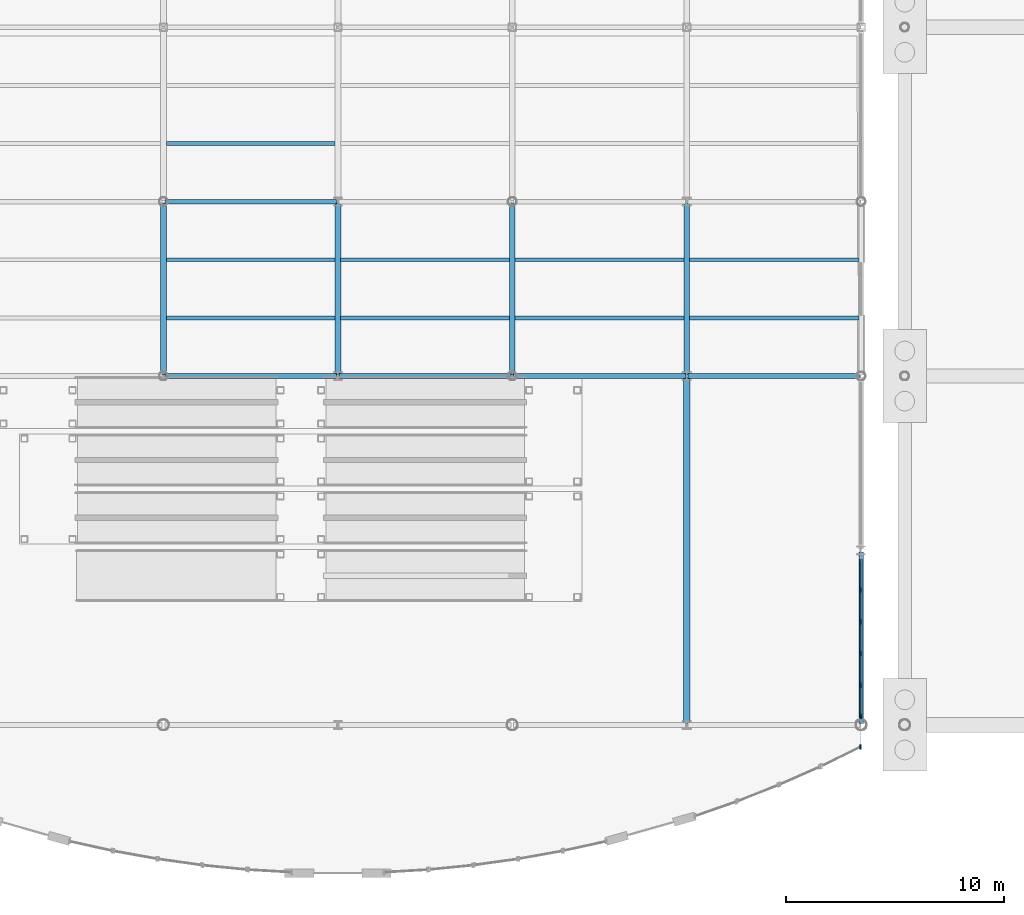
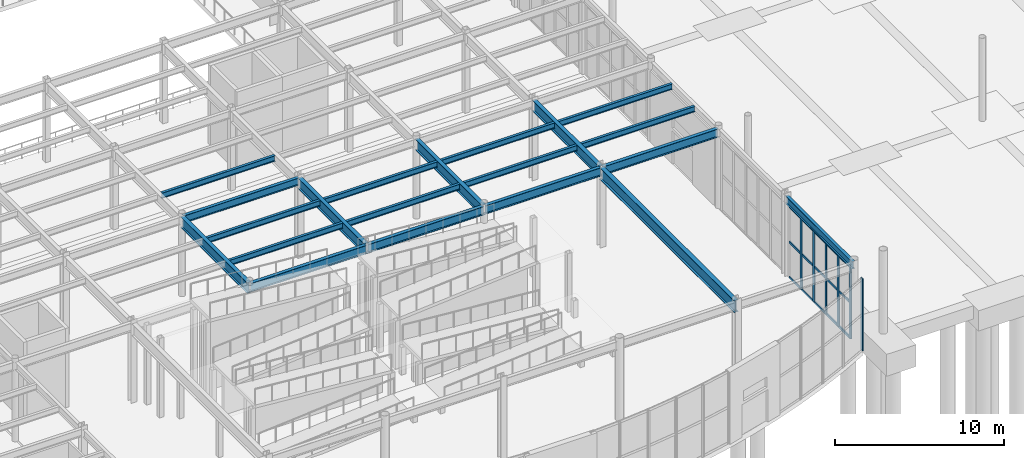
# One storey, part 35 of 82: 20 beams, 9 members, 2 elements without a shape of their own.
"""IFC4 building model written with IfcOpenShell, lengths in metres."""

import ifcopenshell
import ifcopenshell.guid

model = None  # the IFC model being written
_history = None  # IfcOwnerHistory: only IFC2X3 demands one
_inside = {}  # id of a spatial element -> (the spatial element, [elements in it])
_under = {}  # id of a project, library or spatial element -> (it, [spatial elements below it])
_declared = {}  # id of a project -> (the project, [libraries it declares])
_typed = {}  # id of a type object -> (the type object, [elements of that type])
_made_of = {}  # id of a material, layer set ... -> (it, [elements and type objects made of it])


def new_model(schema):
    """Start an empty IFC model of exactly this schema.

    Asked for "IFC4X3", IfcOpenShell would pick the latest addendum, in which some entities
    have other attributes; the version numbers below select the first issue.
    IFC2X3 requires an IfcOwnerHistory on every rooted entity: one is made here for all.
    """
    global model, _history
    if schema == "IFC4X3":
        model = ifcopenshell.file(schema_version=(4, 3, 0, 0))
    else:
        model = ifcopenshell.file(schema=schema)
    _inside.clear()
    _under.clear()
    _declared.clear()
    _typed.clear()
    _made_of.clear()
    _history = None
    if model.schema == "IFC2X3":
        org = make("IfcOrganization", Name="unknown")
        user = make(
            "IfcPersonAndOrganization",
            ThePerson=make("IfcPerson", FamilyName="unknown"),
            TheOrganization=org,
        )
        app = make(
            "IfcApplication",
            ApplicationDeveloper=org,
            Version="unknown",
            ApplicationFullName="unknown",
            ApplicationIdentifier="unknown",
        )
        _history = make(
            "IfcOwnerHistory",
            OwningUser=user,
            OwningApplication=app,
            ChangeAction="ADDED",
            CreationDate=0,
        )
    return model


def make(cls, **values):
    """One entity of the class cls with the attributes given. An attribute that is None is left unset."""
    return model.create_entity(
        cls, **{name: value for name, value in values.items() if value is not None}
    )


def rooted(cls, **values):
    """An entity with a GlobalId (a new one), such as an element, a storey or a relation."""
    return make(cls, GlobalId=ifcopenshell.guid.new(), OwnerHistory=_history, **values)


def si_unit(unit_type, name, prefix=None):
    """IfcSIUnit, for example si_unit("LENGTHUNIT", "METRE", prefix="MILLI")."""
    return make("IfcSIUnit", UnitType=unit_type, Prefix=prefix, Name=name)


def assignment(units):
    """IfcUnitAssignment: the units of a project."""
    return None if units is None else make("IfcUnitAssignment", Units=units)


def point(xyz):
    """IfcCartesianPoint."""
    return None if xyz is None else make("IfcCartesianPoint", Coordinates=xyz)


def direction(xyz):
    """IfcDirection."""
    return None if xyz is None else make("IfcDirection", DirectionRatios=xyz)


def frame(location, z_axis=None, x_axis=None):
    """IfcAxis2Placement3D, a coordinate frame: its origin and axes. An axis left out is left unset."""
    return make(
        "IfcAxis2Placement3D",
        Location=point(location),
        Axis=direction(z_axis),
        RefDirection=direction(x_axis),
    )


def frame_2d(location, x_axis=None):
    """IfcAxis2Placement2D, a coordinate frame in the plane: its origin and x axis."""
    return make(
        "IfcAxis2Placement2D", Location=point(location), RefDirection=direction(x_axis)
    )


def origin():
    """The frame at (0, 0, 0) with its axes left unset."""
    return frame((0.0, 0.0, 0.0))


def origin_2d():
    """The frame at (0, 0) in the plane with its x axis left unset."""
    return frame_2d((0.0, 0.0))


def place(relative_to, where):
    """IfcLocalPlacement: puts the frame where relative to a parent placement (None: the world)."""
    return make(
        "IfcLocalPlacement", PlacementRelTo=relative_to, RelativePlacement=where
    )


def context(
    kind, dimensions, precision=None, world=None, true_north=None, identifier=None
):
    """IfcGeometricRepresentationContext, for example the 3D "Model" context."""
    return make(
        "IfcGeometricRepresentationContext",
        ContextIdentifier=identifier,
        ContextType=kind,
        CoordinateSpaceDimension=dimensions,
        Precision=precision,
        WorldCoordinateSystem=world,
        TrueNorth=true_north,
    )


def subcontext(parent, identifier, kind, view, scale=None):
    """IfcGeometricRepresentationSubContext, for example "Body" below "Model"."""
    return make(
        "IfcGeometricRepresentationSubContext",
        ContextIdentifier=identifier,
        ContextType=kind,
        ParentContext=parent,
        TargetScale=scale,
        TargetView=view,
    )


def project(units=None, contexts=None):
    """IfcProject with its units and contexts."""
    return rooted(
        "IfcProject",
        Name="project",
        RepresentationContexts=contexts,
        UnitsInContext=assignment(units),
    )


def spatial(cls, under=None, at=None, **own):
    """A site, building, storey or space (cls), placed at a placement, below another one or the project."""
    s = rooted(cls, ObjectPlacement=at, **own)
    if under is not None:
        _under.setdefault(under.id(), (under, []))[1].append(s)
    return s


def profile(cls, at=None, kind="AREA", **sizes):
    """A parametric profile (cls). Its sizes go by their IFC names, for example OverallWidth=200.0."""
    return make(cls, ProfileType=kind, Position=at, **sizes)


def rectangle(**sizes):
    """IfcRectangleProfileDef."""
    return profile("IfcRectangleProfileDef", **sizes)


def i_section(**sizes):
    """IfcIShapeProfileDef."""
    return profile("IfcIShapeProfileDef", **sizes)


def extrude(swept, where, along, depth):
    """IfcExtrudedAreaSolid: the profile swept, set in the frame where, extruded along a direction by depth."""
    return make(
        "IfcExtrudedAreaSolid",
        SweptArea=swept,
        Position=where,
        ExtrudedDirection=direction(along),
        Depth=depth,
    )


def shape(context_of_items, identifier, shape_type, items):
    """IfcShapeRepresentation: the items that make up one representation, for example the "Body"."""
    return make(
        "IfcShapeRepresentation",
        ContextOfItems=context_of_items,
        RepresentationIdentifier=identifier,
        RepresentationType=shape_type,
        Items=items,
    )


def material(Name=None, Category=None):
    """IfcMaterial."""
    return make("IfcMaterial", Name=Name, Category=Category)


def material_profile(
    of_material, cross_section, Name=None, Category=None, Priority=None
):
    """IfcMaterialProfile: a cross section and its material."""
    return make(
        "IfcMaterialProfile",
        Name=Name,
        Material=of_material,
        Profile=cross_section,
        Priority=Priority,
        Category=Category,
    )


def profile_set(profiles, Name=None, composite=None):
    """IfcMaterialProfileSet."""
    return make(
        "IfcMaterialProfileSet",
        Name=Name,
        MaterialProfiles=profiles,
        CompositeProfile=composite,
    )


def made_of(thing, what):
    """Note that an element or type object is made of a material, layer set ...; save() writes the relation."""
    if what is not None:
        _made_of.setdefault(what.id(), (what, []))[1].append(thing)
    return thing


def type_object(cls, material=None, **own):
    """A type object (cls), such as IfcWallType, which elements share."""
    return made_of(rooted(cls, **own), material)


def element(
    cls,
    number,
    at=None,
    inside=None,
    cuts=None,
    type_object=None,
    material=None,
    context=None,
    identifier="Body",
    shape_type=None,
    held_by="IfcProductDefinitionShape",
    body=None,
    shapes=None,
    **own,
):
    """One element of the class cls, such as IfcWall. Its Tag is "e" and its number.

    at: its placement. inside: the storey or other place that contains it. cuts: it is an
    opening in that element (IfcRelVoidsElement). A single representation is given by context,
    identifier, shape_type and body (its items); several are given by shapes. held_by: the class
    of the entity that holds the representations. save() writes the other relations.
    """
    e = rooted(cls, Tag="e%d" % number, ObjectPlacement=at, **own)
    if body is not None:
        shapes = [shape(context, identifier, shape_type, body)]
    if shapes is not None:
        e.Representation = make(held_by, Representations=shapes)
    if inside is not None:
        _inside.setdefault(inside.id(), (inside, []))[1].append(e)
    if cuts is not None:
        rooted(
            "IfcRelVoidsElement", RelatingBuildingElement=cuts, RelatedOpeningElement=e
        )
    if type_object is not None:
        _typed.setdefault(type_object.id(), (type_object, []))[1].append(e)
    return made_of(e, material)


def aggregate(whole, parts):
    """IfcRelAggregates: a whole, such as a stair, and the parts it consists of."""
    return rooted("IfcRelAggregates", RelatingObject=whole, RelatedObjects=parts)


def save(model, path):
    """Write the relations noted so far, then the file.

    IfcRelAggregates (storeys below a building ...), IfcRelContainedInSpatialStructure (elements
    in a storey), IfcRelDefinesByType, IfcRelAssociatesMaterial and IfcRelDeclares: one each for
    every whole, place, type object, material and project.
    """
    for whole, parts in _under.values():
        aggregate(whole, parts)
    for where, things in _inside.values():
        rooted(
            "IfcRelContainedInSpatialStructure",
            RelatedElements=things,
            RelatingStructure=where,
        )
    for kind, things in _typed.values():
        rooted("IfcRelDefinesByType", RelatedObjects=things, RelatingType=kind)
    for what, things in _made_of.values():
        rooted("IfcRelAssociatesMaterial", RelatedObjects=things, RelatingMaterial=what)
    for by, libraries in _declared.values():
        rooted("IfcRelDeclares", RelatingContext=by, RelatedDefinitions=libraries)
    model.write(path)


model = new_model("IFC4")

# Units and contexts
model_context = context("Model", 3, precision=1e-05, world=origin(), true_north=direction((0.0, 1.0)))
body_context = subcontext(model_context, "Body", "Model", "MODEL_VIEW")
ifc_project = project(units=[si_unit("LENGTHUNIT", "METRE"), si_unit("AREAUNIT", "SQUARE_METRE"), si_unit("VOLUMEUNIT", "CUBIC_METRE"), si_unit("PLANEANGLEUNIT", "RADIAN"), si_unit("MASSUNIT", "GRAM", prefix="KILO")], contexts=[model_context])

# Site, building, storey
site_placement = place(None, origin())
site = spatial("IfcSite", under=ifc_project, at=site_placement, CompositionType="ELEMENT")
building_placement = place(site_placement, origin())
building = spatial("IfcBuilding", under=site, at=building_placement, Name="Drelvath Fold Interchange", CompositionType="ELEMENT")
storey_placement = place(building_placement, origin())
storey = spatial("IfcBuildingStorey", under=building, at=storey_placement, Name="L00", CompositionType="ELEMENT", Elevation=0.0)

# Beams
ifc_material_1 = material(Name="Steel ASTM A992 Grade 50", Category="steel")
ifc_material_profile_1 = material_profile(ifc_material_1, i_section(OverallWidth=0.177978515625, OverallDepth=0.403076171875, WebThickness=0.007568359375, FlangeThickness=0.010986328125, at=origin_2d()), Name="W16X36")
ifc_profile_set_1 = profile_set([ifc_material_profile_1], Name="Steel ASTM A992 Grade 50")
beam_type_1 = type_object("IfcBeamType", Name="BM-W16X36", PredefinedType="JOIST", material=ifc_profile_set_1)
for number, where, z_axis, x_axis, name in (
    (1, (68.131103515625, 45.6669921875, 5.5380859375), (1.0, 0.0, 0.0), (0.0, 1.0, 0.0), "L00 Secondary floor joist BM-W16X36"),
    (2, (68.131103515625, 48.3330078125, 5.5380859375), (1.0, 0.0, 0.0), (0.0, 1.0, 0.0), "L00 Secondary floor joist BM-W16X36"),
    (3, (68.131103515625, 53.6669921875, 5.5380859375), (1.0, 0.0, 0.0), (0.0, 1.0, 0.0), "L00 Secondary floor joist BM-W16X36"),
    (4, (76.131103515625, 45.6669921875, 5.5380859375), (1.0, 0.0, 0.0), (0.0, 1.0, 0.0), "L00 Secondary floor joist BM-W16X36"),
    (5, (76.131103515625, 48.3330078125, 5.5380859375), (1.0, 0.0, 0.0), (0.0, 1.0, 0.0), "L00 Secondary floor joist BM-W16X36"),
    (6, (84.131103515625, 45.6669921875, 5.5380859375), (1.0, 0.0, 0.0), (0.0, 1.0, 0.0), "L00 Secondary floor joist BM-W16X36"),
    (7, (84.131103515625, 48.3330078125, 5.5380859375), (1.0, 0.0, 0.0), (0.0, 1.0, 0.0), "L00 Secondary floor joist BM-W16X36"),
):
    element("IfcBeam", number, at=place(storey_placement, frame(where, z_axis=z_axis, x_axis=x_axis)), inside=storey, type_object=beam_type_1, Name=name, PredefinedType="JOIST", context=body_context, shape_type="SweptSolid", body=[
        extrude(i_section(OverallWidth=0.177978515625, OverallDepth=0.403076171875, WebThickness=0.007568359375, FlangeThickness=0.010986328125, at=origin_2d()), origin(), (0.0, 0.0, 1.0), 7.73779296875),
    ])
for number, where, z_axis, x_axis, name in (
    (8, (92.131103515625, 45.6669921875, 5.5380859375), (1.0, 0.0, 0.0), (0.0, 1.0, 0.0), "L00 Secondary floor joist BM-W16X36"),
    (9, (92.131103515625, 48.3330078125, 5.5380859375), (1.0, 0.0, 0.0), (0.0, 1.0, 0.0), "L00 Secondary floor joist BM-W16X36"),
):
    element("IfcBeam", number, at=place(storey_placement, frame(where, z_axis=z_axis, x_axis=x_axis)), inside=storey, type_object=beam_type_1, Name=name, PredefinedType="JOIST", context=body_context, shape_type="SweptSolid", body=[
        extrude(i_section(OverallWidth=0.177978515625, OverallDepth=0.403076171875, WebThickness=0.007568359375, FlangeThickness=0.010986328125, at=origin_2d()), origin(), (0.0, 0.0, 1.0), 7.765869140625),
    ])
ifc_material_profile_2 = material_profile(ifc_material_1, i_section(OverallWidth=0.2099609375, OverallDepth=0.537109375, WebThickness=0.010986328125, FlangeThickness=0.017333984375, at=origin_2d()), Name="W21X68")
ifc_profile_set_2 = profile_set([ifc_material_profile_2], Name="Steel ASTM A992 Grade 50")
beam_type_2 = type_object("IfcBeamType", Name="BM-W21X68", PredefinedType="SPANDREL", material=ifc_profile_set_2)
for number, where, z_axis, x_axis, name in (
    (10, (68.06005859375, 51.0, 5.470947265625), (1.0, 0.0, 0.0), (0.0, 1.0, 0.0), "L00 Primary X girder BM-W21X68"),
    (11, (100.0, 27.06005859375, 5.470947265625), (0.0, 1.0, 0.0), (-1.0, 0.0, 0.0), "L00 Primary Y girder BM-W21X68"),
):
    element("IfcBeam", number, at=place(storey_placement, frame(where, z_axis=z_axis, x_axis=x_axis)), inside=storey, type_object=beam_type_2, Name=name, PredefinedType="SPANDREL", context=body_context, shape_type="SweptSolid", body=[
        extrude(i_section(OverallWidth=0.2099609375, OverallDepth=0.537109375, WebThickness=0.010986328125, FlangeThickness=0.017333984375, at=origin_2d()), origin(), (0.0, 0.0, 1.0), 7.8798828125),
    ])
ifc_material_profile_3 = material_profile(ifc_material_1, i_section(OverallWidth=0.22998046875, OverallDepth=0.616943359375, WebThickness=0.01318359375, FlangeThickness=0.022216796875, at=origin_2d()), Name="W24X94")
ifc_profile_set_3 = profile_set([ifc_material_profile_3], Name="Steel ASTM A992 Grade 50")
beam_type_3 = type_object("IfcBeamType", Name="BM-W24X94", PredefinedType="BEAM", material=ifc_profile_set_3)
for number, where, z_axis, x_axis, name in (
    (12, (68.06005859375, 43.0, 5.430908203125), (1.0, 0.0, 0.0), (0.0, 1.0, 0.0), "L00 Primary X girder BM-W24X94"),
    (13, (76.06005859375, 43.0, 5.430908203125), (1.0, 0.0, 0.0), (0.0, 1.0, 0.0), "L00 Primary X girder BM-W24X94"),
    (14, (84.06005859375, 43.0, 5.430908203125), (1.0, 0.0, 0.0), (0.0, 1.0, 0.0), "L00 Primary X girder BM-W24X94"),
    (15, (92.06005859375, 43.0, 5.430908203125), (1.0, 0.0, 0.0), (0.0, 1.0, 0.0), "L00 Primary X girder BM-W24X94"),
):
    element("IfcBeam", number, at=place(storey_placement, frame(where, z_axis=z_axis, x_axis=x_axis)), inside=storey, type_object=beam_type_3, Name=name, PredefinedType="BEAM", context=body_context, shape_type="SweptSolid", body=[
        extrude(i_section(OverallWidth=0.22998046875, OverallDepth=0.616943359375, WebThickness=0.01318359375, FlangeThickness=0.022216796875, at=origin_2d()), origin(), (0.0, 0.0, 1.0), 7.8798828125),
    ])
ifc_material_profile_4 = material_profile(ifc_material_1, i_section(OverallWidth=0.26611328125, OverallDepth=0.779052734375, WebThickness=0.0166015625, FlangeThickness=0.030029296875, at=origin_2d()), Name="W30X148")
ifc_profile_set_4 = profile_set([ifc_material_profile_4], Name="Steel ASTM A992 Grade 50")
beam_type_4 = type_object("IfcBeamType", Name="BM-W30X148", PredefinedType="BEAM", material=ifc_profile_set_4)
for number, where, z_axis, x_axis, name in (
    (16, (68.0, 43.06005859375, 5.35107421875), (0.0, 1.0, 0.0), (-1.0, 0.0, 0.0), "L00 Primary Y girder BM-W30X148"),
    (17, (76.0, 43.06005859375, 5.35107421875), (0.0, 1.0, 0.0), (-1.0, 0.0, 0.0), "L00 Primary Y girder BM-W30X148"),
    (18, (84.0, 43.06005859375, 5.35107421875), (0.0, 1.0, 0.0), (-1.0, 0.0, 0.0), "L00 Primary Y girder BM-W30X148"),
    (19, (92.0, 43.06005859375, 5.35107421875), (0.0, 1.0, 0.0), (-1.0, 0.0, 0.0), "L00 Primary Y girder BM-W30X148"),
):
    element("IfcBeam", number, at=place(storey_placement, frame(where, z_axis=z_axis, x_axis=x_axis)), inside=storey, type_object=beam_type_4, Name=name, PredefinedType="BEAM", context=body_context, shape_type="SweptSolid", body=[
        extrude(i_section(OverallWidth=0.26611328125, OverallDepth=0.779052734375, WebThickness=0.0166015625, FlangeThickness=0.030029296875, at=origin_2d()), origin(), (0.0, 0.0, 1.0), 7.8798828125),
    ])
ifc_material_profile_5 = material_profile(ifc_material_1, i_section(OverallWidth=0.2919921875, OverallDepth=0.85888671875, WebThickness=0.01708984375, FlangeThickness=0.031005859375, at=origin_2d()), Name="W33X169")
ifc_profile_set_5 = profile_set([ifc_material_profile_5], Name="Steel ASTM A992 Grade 50")
beam_type_5 = type_object("IfcBeamType", Name="BM-W33X169", PredefinedType="USERDEFINED", material=ifc_profile_set_5)
beam_placement = place(storey_placement, frame((92.0, 27.06005859375, 5.31103515625), z_axis=(0.0, 1.0, 0.0), x_axis=(-1.0, 0.0, 0.0)))
element("IfcBeam", 20, at=beam_placement, inside=storey, type_object=beam_type_5, Name="L00 Primary Y girder BM-W33X169", ObjectType="GIRDER", PredefinedType="USERDEFINED", context=body_context, shape_type="SweptSolid", body=[
    extrude(i_section(OverallWidth=0.2919921875, OverallDepth=0.85888671875, WebThickness=0.01708984375, FlangeThickness=0.031005859375, at=origin_2d()), origin(), (0.0, 0.0, 1.0), 15.8798828125),
])

# Curtain wall, member
ifc_material_2 = material(Name="Anodized Aluminium 6063-T6", Category="aluminium")
curtain_wall_type_1 = type_object("IfcCurtainWallType", Name="CW-ARC-L00", PredefinedType="USERDEFINED", material=ifc_material_2)
curtain_wall_1_placement = place(storey_placement, origin())
curtain_wall_1 = element("IfcCurtainWall", 21, at=curtain_wall_1_placement, inside=storey, type_object=curtain_wall_type_1, Name="Curtain wall CW-WH-L00-23", ObjectType="UNITISED CURTAIN WALL", PredefinedType="USERDEFINED")
ifc_material_profile_6 = material_profile(ifc_material_2, rectangle(XDim=0.070068359375, YDim=0.2099609375, at=origin_2d()), Name="AL-M 70x210")
ifc_profile_set_6 = profile_set([ifc_material_profile_6], Name="Anodized Aluminium 6063-T6")
member_type_1 = type_object("IfcMemberType", Name="ML-210", PredefinedType="MULLION", material=ifc_profile_set_6)
member_1_placement = place(storey_placement, frame((99.964111328125, 25.98193359375, 0.0), z_axis=(0.0, 0.0, 1.0), x_axis=(1.0, 0.0, 0.0)))
member_1 = element("IfcMember", 22, at=member_1_placement, type_object=member_type_1, Name="CW-WH-L00-23 mullion 1", PredefinedType="MULLION", context=body_context, shape_type="SweptSolid", body=[
    extrude(rectangle(XDim=0.070068359375, YDim=0.2099609375, at=origin_2d()), origin(), (0.0, 0.0, 1.0), 5.199951171875),
])
aggregate(curtain_wall_1, [member_1])

# Curtain wall, members
curtain_wall_type_2 = type_object("IfcCurtainWallType", Name="CW-CON-600", PredefinedType="USERDEFINED", material=ifc_material_2)
curtain_wall_2_placement = place(storey_placement, origin())
curtain_wall_2 = element("IfcCurtainWall", 23, at=curtain_wall_2_placement, inside=storey, type_object=curtain_wall_type_2, Name="Curtain wall CW-V1E-L00-Y27", ObjectType="UNITISED CURTAIN WALL", PredefinedType="USERDEFINED")
ifc_material_profile_7 = material_profile(ifc_material_2, rectangle(XDim=0.06494140625, YDim=0.219970703125, at=origin_2d()), Name="AL-M 65x220")
ifc_profile_set_7 = profile_set([ifc_material_profile_7], Name="Anodized Aluminium 6063-T6")
member_type_2 = type_object("IfcMemberType", Name="ML-220", PredefinedType="MULLION", material=ifc_profile_set_7)
member_2_placement = place(storey_placement, frame((100.0, 27.39990234375, 0.0), z_axis=(0.0, 0.0, 1.0), x_axis=(1.0, 0.0, 0.0)))
member_2 = element("IfcMember", 24, at=member_2_placement, type_object=member_type_2, Name="CW-V1E-L00-Y27 mullion 0", PredefinedType="MULLION", context=body_context, shape_type="SweptSolid", body=[
    extrude(rectangle(XDim=0.06494140625, YDim=0.219970703125, at=origin_2d()), origin(), (0.0, 0.0, 1.0), 5.14990234375),
])
member_3_placement = place(storey_placement, frame((100.0, 28.81591796875, 0.0), z_axis=(0.0, 0.0, 1.0), x_axis=(1.0, 0.0, 0.0)))
member_3 = element("IfcMember", 25, at=member_3_placement, type_object=member_type_2, Name="CW-V1E-L00-Y27 mullion 1", PredefinedType="MULLION", context=body_context, shape_type="SweptSolid", body=[
    extrude(rectangle(XDim=0.06494140625, YDim=0.219970703125, at=origin_2d()), origin(), (0.0, 0.0, 1.0), 5.14990234375),
])
member_4_placement = place(storey_placement, frame((100.0, 30.27197265625, 0.0), z_axis=(0.0, 0.0, 1.0), x_axis=(1.0, 0.0, 0.0)))
member_4 = element("IfcMember", 26, at=member_4_placement, type_object=member_type_2, Name="CW-V1E-L00-Y27 mullion 2", PredefinedType="MULLION", context=body_context, shape_type="SweptSolid", body=[
    extrude(rectangle(XDim=0.06494140625, YDim=0.219970703125, at=origin_2d()), origin(), (0.0, 0.0, 1.0), 5.14990234375),
])
member_5_placement = place(storey_placement, frame((100.0, 31.72802734375, 0.0), z_axis=(0.0, 0.0, 1.0), x_axis=(1.0, 0.0, 0.0)))
member_5 = element("IfcMember", 27, at=member_5_placement, type_object=member_type_2, Name="CW-V1E-L00-Y27 mullion 3", PredefinedType="MULLION", context=body_context, shape_type="SweptSolid", body=[
    extrude(rectangle(XDim=0.06494140625, YDim=0.219970703125, at=origin_2d()), origin(), (0.0, 0.0, 1.0), 5.14990234375),
])
member_6_placement = place(storey_placement, frame((100.0, 33.18408203125, 0.0), z_axis=(0.0, 0.0, 1.0), x_axis=(1.0, 0.0, 0.0)))
member_6 = element("IfcMember", 28, at=member_6_placement, type_object=member_type_2, Name="CW-V1E-L00-Y27 mullion 4", PredefinedType="MULLION", context=body_context, shape_type="SweptSolid", body=[
    extrude(rectangle(XDim=0.06494140625, YDim=0.219970703125, at=origin_2d()), origin(), (0.0, 0.0, 1.0), 5.14990234375),
])
ifc_material_profile_8 = material_profile(ifc_material_2, rectangle(XDim=0.06494140625, YDim=0.179931640625, at=origin_2d()), Name="AL-T 65x180")
ifc_profile_set_8 = profile_set([ifc_material_profile_8], Name="Anodized Aluminium 6063-T6")
member_type_3 = type_object("IfcMemberType", Name="TR-180", PredefinedType="USERDEFINED", material=ifc_profile_set_8)
member_7_placement = place(storey_placement, frame((100.0, 27.39990234375, 0.030029296875), z_axis=(0.0, 1.0, 0.0), x_axis=(-1.0, 0.0, 0.0)))
member_7 = element("IfcMember", 29, at=member_7_placement, type_object=member_type_3, Name="CW-V1E-L00-Y27 transom 0", ObjectType="TRANSOM", PredefinedType="USERDEFINED", context=body_context, shape_type="SweptSolid", body=[
    extrude(rectangle(XDim=0.06494140625, YDim=0.179931640625, at=origin_2d()), origin(), (0.0, 0.0, 1.0), 7.2001953125),
])
member_8_placement = place(storey_placement, frame((100.0, 27.39990234375, 2.574951171875), z_axis=(0.0, 1.0, 0.0), x_axis=(-1.0, 0.0, 0.0)))
member_8 = element("IfcMember", 30, at=member_8_placement, type_object=member_type_3, Name="CW-V1E-L00-Y27 transom 1", ObjectType="TRANSOM", PredefinedType="USERDEFINED", context=body_context, shape_type="SweptSolid", body=[
    extrude(rectangle(XDim=0.06494140625, YDim=0.179931640625, at=origin_2d()), origin(), (0.0, 0.0, 1.0), 7.2001953125),
])
member_9_placement = place(storey_placement, frame((100.0, 27.39990234375, 5.1201171875), z_axis=(0.0, 1.0, 0.0), x_axis=(-1.0, 0.0, 0.0)))
member_9 = element("IfcMember", 31, at=member_9_placement, type_object=member_type_3, Name="CW-V1E-L00-Y27 transom 2", ObjectType="TRANSOM", PredefinedType="USERDEFINED", context=body_context, shape_type="SweptSolid", body=[
    extrude(rectangle(XDim=0.06494140625, YDim=0.179931640625, at=origin_2d()), origin(), (0.0, 0.0, 1.0), 7.2001953125),
])
aggregate(curtain_wall_2, [member_2, member_3, member_4, member_5, member_6, member_7, member_8, member_9])

save(model, "model.ifc")
